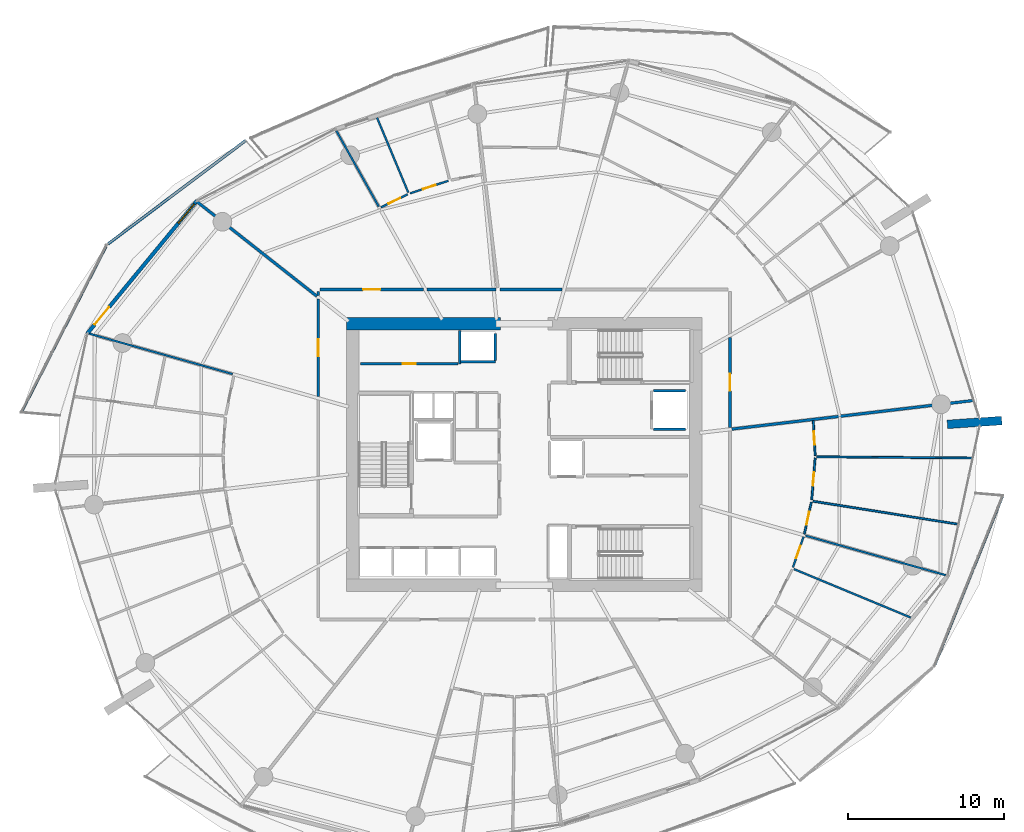
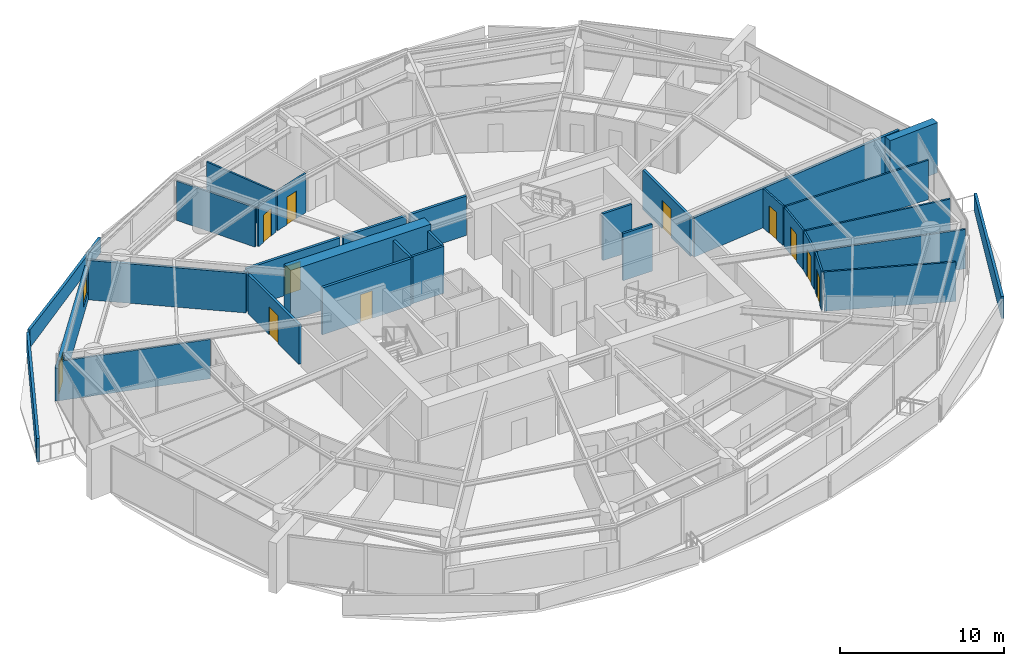
# One storey, part 14 of 23: 33 walls, 11 doors, 1 window, 12 openings.
"""IFC4 building model written with IfcOpenShell, lengths in metres."""

from ifc_helpers import new_model, si_unit, direction, frame, frame_2d, origin, place, context, subcontext, project, spatial, polyline, rectangle, outline, extrude, material, layer, layer_set, type_object, element, fill, save


model = new_model("IFC4")

# Units and contexts
model_context = context("Model", 3, precision=1e-05, world=origin(), true_north=direction((0.0, 1.0)))
body_context = subcontext(model_context, "Body", "Model", "MODEL_VIEW")
ifc_project = project(units=[si_unit("LENGTHUNIT", "METRE"), si_unit("AREAUNIT", "SQUARE_METRE"), si_unit("VOLUMEUNIT", "CUBIC_METRE"), si_unit("PLANEANGLEUNIT", "RADIAN"), si_unit("MASSUNIT", "GRAM", prefix="KILO")], contexts=[model_context])

# Site, building, storey
site_placement = place(None, origin())
site = spatial("IfcSite", under=ifc_project, at=site_placement, CompositionType="ELEMENT")
building_placement = place(site_placement, origin())
building = spatial("IfcBuilding", under=site, at=building_placement, Name="Kazma Halo Residences", CompositionType="ELEMENT")
storey_placement = place(building_placement, frame((0.0, 0.0, 97.64990234375)))
storey = spatial("IfcBuildingStorey", under=building, at=storey_placement, Name="L24", CompositionType="ELEMENT", Elevation=97.64990234375)

# Walls
ifc_material_1 = material(Name="White Concrete C50/60 Balustrade", Category="concrete")
ifc_layer_1 = layer(ifc_material_1, 0.179931640625)
ifc_layer_set_1 = layer_set([ifc_layer_1], Name="White Concrete C50/60 Balustrade")
wall_type_1 = type_object("IfcWallType", Name="WL-BAL-WAVE-180", PredefinedType="PARAPET", material=ifc_layer_set_1)
wall_1_placement = place(storey_placement, frame((30.55419921875, 62.17529296875, 0.0), z_axis=(0.0, 0.0, 1.0), x_axis=(-0.799377932659, -0.600828528598, 0.0)))
element("IfcWall", 1, at=wall_1_placement, inside=storey, type_object=wall_type_1, Name="L24 white wave balustrade wall NW.1", PredefinedType="PARAPET", context=body_context, shape_type="SweptSolid", body=[
    extrude(outline(polyline([(0.0, 0.0), (11.0751953125, 0.0), (11.075439453125, 1.34814453125), (5.53759765625, 1.18212890625), (0.0, 1.1201171875), (0.0, 0.0)])), frame((0.0, 0.08984375, 0.0), z_axis=(0.0, -1.0, 0.0), x_axis=(1.0, 0.0, 0.0)), (0.0, 0.0, 1.0), 0.179931640625),
])
wall_2_placement = place(storey_placement, frame((21.55029296875, 55.342041015625, 0.0), z_axis=(0.0, 0.0, 1.0), x_axis=(-0.454614998415, -0.890688050451, 0.0)))
element("IfcWall", 2, at=wall_2_placement, inside=storey, type_object=wall_type_1, Name="L24 white wave balustrade wall NW.2", PredefinedType="PARAPET", context=body_context, shape_type="SweptSolid", body=[
    extrude(outline(polyline([(0.0, 0.0), (11.9423828125, 0.0), (11.9423828125, 1.7470703125), (5.97119140625, 1.56201171875), (0.0, 1.34814453125), (0.0, 0.0)])), frame((0.0, 0.08984375, 0.0), z_axis=(0.0, -1.0, 0.0), x_axis=(1.0, 0.0, 0.0)), (0.0, 0.0, 1.0), 0.179931640625),
])
wall_3_placement = place(storey_placement, frame((74.794189453125, 28.481689453125, 0.0), z_axis=(0.0, 0.0, 1.0), x_axis=(0.372543477275, 0.928014739937, 0.0)))
element("IfcWall", 3, at=wall_3_placement, inside=storey, type_object=wall_type_1, Name="L24 white wave balustrade wall SE.2", PredefinedType="PARAPET", context=body_context, shape_type="SweptSolid", body=[
    extrude(outline(polyline([(0.0, 0.0), (11.718017578125, 0.0), (11.7177734375, 1.233154296875), (5.85888671875, 1.418212890625), (0.0, 1.632080078125), (0.0, 0.0)])), frame((0.0, 0.08984375, 0.0), z_axis=(0.0, -1.0, 0.0), x_axis=(1.0, 0.0, 0.0)), (0.0, 0.0, 1.0), 0.179931640625),
])
ifc_material_2 = material(Name="Pale Concrete C60/75", Category="concrete")
ifc_layer_2 = layer(ifc_material_2, 0.550048828125)
ifc_layer_set_2 = layer_set([ifc_layer_2], Name="Pale Concrete C60/75")
wall_type_2 = type_object("IfcWallType", Name="WL-BLADE-550", PredefinedType="SOLIDWALL", material=ifc_layer_set_2)
wall_4_placement = place(storey_placement, frame((75.606201171875, 43.930419921875, 0.0), z_axis=(0.0, 0.0, 1.0), x_axis=(0.997564163539, 0.069754853754, 0.0)))
element("IfcWall", 4, at=wall_4_placement, inside=storey, type_object=wall_type_2, Name="L24 pale concrete structural blade fin wall BW-04", PredefinedType="SOLIDWALL", context=body_context, shape_type="SweptSolid", body=[
    extrude(rectangle(XDim=3.5, YDim=0.550048828125, at=frame_2d((1.75, 0.0))), origin(), (0.0, 0.0, 1.0), 3.75),
])
ifc_material_3 = material(Name="Concrete C80/95", Category="concrete")
ifc_layer_3 = layer(ifc_material_3, 0.800048828125)
ifc_layer_set_3 = layer_set([ifc_layer_3], Name="Concrete C80/95")
wall_type_3 = type_object("IfcWallType", Name="WL-CORE-800", PredefinedType="SHEAR", material=ifc_layer_set_3)
wall_5_placement = place(storey_placement, frame((37.0, 50.39990234375, 0.0), z_axis=(0.0, 0.0, 1.0), x_axis=(1.0, 0.0, 0.0)))
element("IfcWall", 5, at=wall_5_placement, inside=storey, type_object=wall_type_3, Name="L24 central core shear wall NW", PredefinedType="SHEAR", context=body_context, shape_type="SweptSolid", body=[
    extrude(rectangle(XDim=9.89990234375, YDim=0.800048828125, at=frame_2d((4.949951171875, 0.0))), origin(), (0.0, 0.0, 1.0), 3.75),
])
ifc_material_4 = material(Name="Acoustic Twin-Stud Gypsum")
ifc_layer_4 = layer(ifc_material_4, 0.179931640625)
ifc_layer_set_4 = layer_set([ifc_layer_4], Name="Acoustic Twin-Stud Gypsum")
wall_type_4 = type_object("IfcWallType", Name="WL-DEM-180", PredefinedType="PARTITIONING", material=ifc_layer_set_4)
wall_6_placement = place(storey_placement, frame((35.113525390625, 52.15869140625, 0.0), z_axis=(0.0, 0.0, 1.0), x_axis=(-0.785295873565, 0.619120659453, 0.0)))
element("IfcWall", 6, at=wall_6_placement, inside=storey, type_object=wall_type_4, Name="L24 apartment demising radial wall 05", PredefinedType="PARTITIONING", context=body_context, shape_type="SweptSolid", body=[
    extrude(rectangle(XDim=9.828857421875, YDim=0.179931640625, at=frame_2d((4.91455078125, 0.0))), origin(), (0.0, 0.0, 1.0), 2.940185546875),
])
wall_7_placement = place(storey_placement, frame((61.75927734375, 43.62841796875, 0.0), z_axis=(0.0, 0.0, 1.0), x_axis=(0.99306822875, 0.117539325539, 0.0)))
element("IfcWall", 7, at=wall_7_placement, inside=storey, type_object=wall_type_4, Name="L24 apartment demising radial wall 15", PredefinedType="PARTITIONING", context=body_context, shape_type="SweptSolid", body=[
    extrude(rectangle(XDim=15.6240234375, YDim=0.179931640625, at=frame_2d((7.81201171875, 0.0))), origin(), (0.0, 0.0, 1.0), 2.940185546875),
])

# Wall, opening, door
wall_8_placement = place(storey_placement, frame((35.199951171875, 51.970703125, 0.0), z_axis=(0.0, 0.0, 1.0), x_axis=(0.0, -1.0, 0.0)))
wall_8 = element("IfcWall", 8, at=wall_8_placement, inside=storey, type_object=wall_type_4, Name="L24 Apartment 1 entrance corridor wall", PredefinedType="PARTITIONING", context=body_context, shape_type="SweptSolid", body=[
    extrude(rectangle(XDim=6.24072265625, YDim=0.179931640625, at=frame_2d((3.120361328125, 0.0))), origin(), (0.0, 0.0, 1.0), 2.940185546875),
])
opening_1_placement = place(wall_8_placement, frame((2.5703125, 0.0, 0.0)))
opening_1 = element("IfcOpeningElement", 9, at=opening_1_placement, cuts=wall_8, Name="Opening DA-1100", PredefinedType="OPENING", context=body_context, shape_type="SweptSolid", body=[
    extrude(rectangle(XDim=1.10009765625, YDim=2.10009765625, at=frame_2d((0.550048828125, 1.050048828125))), frame((0.0, 0.099853515625, 0.0), z_axis=(0.0, -1.0, 0.0), x_axis=(1.0, 0.0, 0.0)), (0.0, 0.0, 1.0), 0.199951171875),
])
ifc_material_5 = material(Name="Acoustic Walnut Fire Leaf")
door_type_1 = type_object("IfcDoorType", Name="DR-FD60-1100", OperationType="NOTDEFINED", PredefinedType="DOOR", material=ifc_material_5)
door_1_placement = place(opening_1_placement, origin())
door_1 = element("IfcDoor", 10, at=door_1_placement, inside=storey, type_object=door_type_1, Name="L24 Apartment 1 entrance fire door", OperationType="SINGLE_SWING_RIGHT", OverallHeight=2.10009765625, OverallWidth=1.10009765625, PredefinedType="DOOR", context=body_context, shape_type="SweptSolid", body=[
    extrude(rectangle(XDim=1.10009765625, YDim=2.10009765625, at=frame_2d((0.550048828125, 1.050048828125))), frame((0.0, 0.02490234375, 0.0), z_axis=(0.0, -1.0, 0.0), x_axis=(1.0, 0.0, 0.0)), (0.0, 0.0, 1.0), 0.050048828125),
])
fill(opening_1, door_1)

wall_9_placement = place(storey_placement, frame((61.64990234375, 43.735595703125, 0.0), z_axis=(0.0, 0.0, 1.0), x_axis=(0.0, 1.0, 0.0)))
wall_9 = element("IfcWall", 11, at=wall_9_placement, inside=storey, type_object=wall_type_4, Name="L24 Apartment 4 entrance corridor wall", PredefinedType="PARTITIONING", context=body_context, shape_type="SweptSolid", body=[
    extrude(rectangle(XDim=5.788818359375, YDim=0.179931640625, at=frame_2d((2.89453125, 0.0))), origin(), (0.0, 0.0, 1.0), 2.940185546875),
])
opening_2_placement = place(wall_9_placement, frame((2.344482421875, 0.0, 0.0)))
opening_2 = element("IfcOpeningElement", 12, at=opening_2_placement, cuts=wall_9, Name="Opening DA-1100", PredefinedType="OPENING", context=body_context, shape_type="SweptSolid", body=[
    extrude(rectangle(XDim=1.10009765625, YDim=2.10009765625, at=frame_2d((0.550048828125, 1.050048828125))), frame((0.0, 0.099853515625, 0.0), z_axis=(0.0, -1.0, 0.0), x_axis=(1.0, 0.0, 0.0)), (0.0, 0.0, 1.0), 0.199951171875),
])
door_2_placement = place(opening_2_placement, origin())
door_2 = element("IfcDoor", 13, at=door_2_placement, inside=storey, type_object=door_type_1, Name="L24 Apartment 4 entrance fire door", OperationType="SINGLE_SWING_LEFT", OverallHeight=2.10009765625, OverallWidth=1.10009765625, PredefinedType="DOOR", context=body_context, shape_type="SweptSolid", body=[
    extrude(rectangle(XDim=1.10009765625, YDim=2.10009765625, at=frame_2d((0.550048828125, 1.050048828125))), frame((0.0, 0.02490234375, 0.0), z_axis=(0.0, -1.0, 0.0), x_axis=(1.0, 0.0, 0.0)), (0.0, 0.0, 1.0), 0.050048828125),
])
fill(opening_2, door_2)

# Wall
wall_10_placement = place(storey_placement, frame((50.869384765625, 52.60009765625, 0.0), z_axis=(0.0, 0.0, 1.0), x_axis=(-1.0, 0.0, 0.0)))
element("IfcWall", 14, at=wall_10_placement, inside=storey, type_object=wall_type_4, Name="L24 Apartment 4 inner wall 2", PredefinedType="PARTITIONING", context=body_context, shape_type="SweptSolid", body=[
    extrude(rectangle(XDim=4.00390625, YDim=0.179931640625, at=frame_2d((2.001953125, 0.0))), origin(), (0.0, 0.0, 1.0), 2.940185546875),
])

# Wall, opening, door
wall_11_placement = place(storey_placement, frame((41.943603515625, 52.60009765625, 0.0), z_axis=(0.0, 0.0, 1.0), x_axis=(-1.0, 0.0, 0.0)))
wall_11 = element("IfcWall", 15, at=wall_11_placement, inside=storey, type_object=wall_type_4, Name="L24 Apartment 5 entrance corridor wall", PredefinedType="PARTITIONING", context=body_context, shape_type="SweptSolid", body=[
    extrude(rectangle(XDim=6.62353515625, YDim=0.179931640625, at=frame_2d((3.311767578125, 0.0))), origin(), (0.0, 0.0, 1.0), 2.940185546875),
])
opening_3_placement = place(wall_11_placement, frame((2.76171875, 0.0, 0.0)))
opening_3 = element("IfcOpeningElement", 16, at=opening_3_placement, cuts=wall_11, Name="Opening DA-1100", PredefinedType="OPENING", context=body_context, shape_type="SweptSolid", body=[
    extrude(rectangle(XDim=1.10009765625, YDim=2.10009765625, at=frame_2d((0.550048828125, 1.050048828125))), frame((0.0, 0.099853515625, 0.0), z_axis=(0.0, -1.0, 0.0), x_axis=(1.0, 0.0, 0.0)), (0.0, 0.0, 1.0), 0.199951171875),
])
door_3_placement = place(opening_3_placement, origin())
door_3 = element("IfcDoor", 17, at=door_3_placement, inside=storey, type_object=door_type_1, Name="L24 Apartment 5 entrance fire door", OperationType="SINGLE_SWING_RIGHT", OverallHeight=2.10009765625, OverallWidth=1.10009765625, PredefinedType="DOOR", context=body_context, shape_type="SweptSolid", body=[
    extrude(rectangle(XDim=1.10009765625, YDim=2.10009765625, at=frame_2d((0.550048828125, 1.050048828125))), frame((0.0, 0.02490234375, 0.0), z_axis=(0.0, -1.0, 0.0), x_axis=(1.0, 0.0, 0.0)), (0.0, 0.0, 1.0), 0.050048828125),
])
fill(opening_3, door_3)

# Walls
wall_12_placement = place(storey_placement, frame((35.199951171875, 52.47998046875, 0.0), z_axis=(0.0, 0.0, 1.0), x_axis=(0.0, -1.0, 0.0)))
element("IfcWall", 18, at=wall_12_placement, inside=storey, type_object=wall_type_4, Name="L24 Apartment 5 entrance corridor wall", PredefinedType="PARTITIONING", context=body_context, shape_type="SweptSolid", body=[
    extrude(rectangle(XDim=0.269287109375, YDim=0.179931640625, at=frame_2d((0.134765625, 0.0))), origin(), (0.0, 0.0, 1.0), 2.940185546875),
])
wall_13_placement = place(storey_placement, frame((46.62548828125, 52.60009765625, 0.0), z_axis=(0.0, 0.0, 1.0), x_axis=(-1.0, 0.0, 0.0)))
element("IfcWall", 19, at=wall_13_placement, inside=storey, type_object=wall_type_4, Name="L24 Apartment 5 inner wall 3", PredefinedType="PARTITIONING", context=body_context, shape_type="SweptSolid", body=[
    extrude(rectangle(XDim=4.44189453125, YDim=0.179931640625, at=frame_2d((2.220947265625, 0.0))), origin(), (0.0, 0.0, 1.0), 2.940185546875),
])

# Wall, openings, door, window
ifc_material_6 = material(Name="Insulated Pale-Metal Composite Wall")
ifc_layer_5 = layer(ifc_material_6, 0.239990234375)
ifc_layer_set_5 = layer_set([ifc_layer_5], Name="Insulated Pale-Metal Composite Wall")
wall_type_5 = type_object("IfcWallType", Name="WL-EXT-HOST-240", PredefinedType="SOLIDWALL", material=ifc_layer_set_5)
wall_14_placement = place(storey_placement, frame((27.406982421875, 58.2978515625, 0.0), z_axis=(0.0, 0.0, 1.0), x_axis=(-0.636704975, -0.771107498868, 0.0)))
wall_14 = element("IfcWall", 20, at=wall_14_placement, inside=storey, type_object=wall_type_5, Name="L24 exterior terrace-access wall B06", PredefinedType="SOLIDWALL", context=body_context, shape_type="SweptSolid", body=[
    extrude(rectangle(XDim=11.084228515625, YDim=0.239990234375, at=frame_2d((5.5419921875, 0.0))), origin(), (0.0, 0.0, 1.0), 2.4501953125),
])
opening_4_placement = place(wall_14_placement, frame((8.8642578125, 0.0, 0.0)))
opening_4 = element("IfcOpeningElement", 21, at=opening_4_placement, cuts=wall_14, Name="Opening DTR-1600", PredefinedType="OPENING", context=body_context, shape_type="SweptSolid", body=[
    extrude(rectangle(XDim=1.449951171875, YDim=2.14990234375, at=frame_2d((0.72509765625, 1.074951171875))), frame((0.0, 0.1298828125, 0.0), z_axis=(0.0, -1.0, 0.0), x_axis=(1.0, 0.0, 0.0)), (0.0, 0.0, 1.0), 0.260009765625),
])
opening_5_placement = place(wall_14_placement, frame((0.280029296875, 0.0, 0.64990234375)))
opening_5 = element("IfcOpeningElement", 22, at=opening_5_placement, cuts=wall_14, Name="Opening W-1800", PredefinedType="OPENING", context=body_context, shape_type="SweptSolid", body=[
    extrude(rectangle(XDim=1.60009765625, YDim=1.5, at=frame_2d((0.800048828125, 0.75))), frame((0.0, 0.1298828125, 0.0), z_axis=(0.0, -1.0, 0.0), x_axis=(1.0, 0.0, 0.0)), (0.0, 0.0, 1.0), 0.260009765625),
])
ifc_material_7 = material(Name="Aluminium AW-6063 T6 Double-Glazed Terrace Door", Category="aluminium")
door_type_2 = type_object("IfcDoorType", Name="DR-EXT-TERR-1600", OperationType="NOTDEFINED", PredefinedType="DOOR", material=ifc_material_7)
door_4_placement = place(opening_4_placement, origin())
door_4 = element("IfcDoor", 23, at=door_4_placement, inside=storey, type_object=door_type_2, Name="L24 B06 balcony terrace door", OperationType="DOUBLE_DOOR_SLIDING", OverallHeight=2.14990234375, OverallWidth=1.449951171875, PredefinedType="DOOR", context=body_context, shape_type="SweptSolid", body=[
    extrude(rectangle(XDim=1.449951171875, YDim=2.14990234375, at=frame_2d((0.72509765625, 1.074951171875))), frame((0.0, 0.02490234375, 0.0), z_axis=(0.0, -1.0, 0.0), x_axis=(1.0, 0.0, 0.0)), (0.0, 0.0, 1.0), 0.050048828125),
])
fill(opening_4, door_4)
ifc_material_8 = material(Name="Clear Triple-Silver Low-E Glass in Aluminium AW-6063 T6 Frame", Category="aluminium")
window_type = type_object("IfcWindowType", Name="WIN-RES-1800", PartitioningType="DOUBLE_PANEL_VERTICAL", PredefinedType="WINDOW", material=ifc_material_8)
window_placement = place(opening_5_placement, origin())
window = element("IfcWindow", 24, at=window_placement, inside=storey, type_object=window_type, Name="L24 B06 apartment window", OverallHeight=1.5, OverallWidth=1.60009765625, PartitioningType="SINGLE_PANEL", PredefinedType="WINDOW", context=body_context, shape_type="SweptSolid", body=[
    extrude(rectangle(XDim=1.60009765625, YDim=1.5, at=frame_2d((0.800048828125, 0.75))), frame((0.0, 0.030029296875, 0.0), z_axis=(0.0, -1.0, 0.0), x_axis=(1.0, 0.0, 0.0)), (0.0, 0.0, 1.0), 0.06005859375),
])
fill(opening_5, window)

# Walls
ifc_material_9 = material(Name="Fire-Rated Blockwork Masonry", Category="masonry")
ifc_layer_6 = layer(ifc_material_9, 0.199951171875)
ifc_layer_set_6 = layer_set([ifc_layer_6], Name="Fire-Rated Blockwork Masonry")
wall_type_6 = type_object("IfcWallType", Name="WL-FLB-200", PredefinedType="PARTITIONING", material=ifc_layer_set_6)
wall_15_placement = place(storey_placement, frame((46.580078125, 47.945068359375, 0.0), z_axis=(0.0, 0.0, 1.0), x_axis=(-1.0, 0.0, 0.0)))
element("IfcWall", 25, at=wall_15_placement, inside=storey, type_object=wall_type_6, Name="L24 lift shaft PX-01 front wall", PredefinedType="PARTITIONING", context=body_context, shape_type="SweptSolid", body=[
    extrude(rectangle(XDim=2.260009765625, YDim=0.159912109375, at=frame_2d((1.1298828125, 0.0))), origin(), (0.0, 0.0, 1.0), 3.5),
])
wall_16_placement = place(storey_placement, frame((46.580078125, 48.044921875, 0.0), z_axis=(0.0, 0.0, 1.0), x_axis=(0.0, 1.0, 0.0)))
element("IfcWall", 26, at=wall_16_placement, inside=storey, type_object=wall_type_6, Name="L24 lift shaft PX-01 side wall E", PredefinedType="PARTITIONING", context=body_context, shape_type="SweptSolid", body=[
    extrude(rectangle(XDim=1.7099609375, YDim=0.159912109375, at=frame_2d((0.85498046875, 0.0))), origin(), (0.0, 0.0, 1.0), 3.5),
])
for number, where, z_axis, x_axis, name in (
    (27, (56.719970703125, 46.080078125, 0.0), (0.0, 0.0, 1.0), (1.0, 0.0, 0.0), "L24 lift shaft FL-02 side wall N"),
    (28, (56.719970703125, 43.6201171875, 0.0), (0.0, 0.0, 1.0), (1.0, 0.0, 0.0), "L24 lift shaft FL-02 side wall S"),
):
    element("IfcWall", number, at=place(storey_placement, frame(where, z_axis=z_axis, x_axis=x_axis)), inside=storey, type_object=wall_type_6, Name=name, PredefinedType="PARTITIONING", context=body_context, shape_type="SweptSolid", body=[
        extrude(rectangle(XDim=2.06005859375, YDim=0.159912109375, at=frame_2d((1.030029296875, 0.0))), origin(), (0.0, 0.0, 1.0), 3.5),
    ])

# Wall, opening, door
wall_17_placement = place(storey_placement, frame((37.919921875, 47.820068359375, 0.0), z_axis=(0.0, 0.0, 1.0), x_axis=(1.0, 0.0, 0.0)))
wall_17 = element("IfcWall", 29, at=wall_17_placement, inside=storey, type_object=wall_type_6, Name="L24 core north reserve wall", PredefinedType="PARTITIONING", context=body_context, shape_type="SweptSolid", body=[
    extrude(rectangle(XDim=6.260009765625, YDim=0.179931640625, at=frame_2d((3.1298828125, 0.0))), origin(), (0.0, 0.0, 1.0), 3.5),
])
opening_6_placement = place(wall_17_placement, frame((2.705078125, 0.0, 0.0)))
opening_6 = element("IfcOpeningElement", 30, at=opening_6_placement, cuts=wall_17, Name="Opening DS-850", PredefinedType="OPENING", context=body_context, shape_type="SweptSolid", body=[
    extrude(rectangle(XDim=0.85009765625, YDim=2.06005859375, at=frame_2d((0.425048828125, 1.030029296875))), frame((0.0, 0.099853515625, 0.0), z_axis=(0.0, -1.0, 0.0), x_axis=(1.0, 0.0, 0.0)), (0.0, 0.0, 1.0), 0.199951171875),
])
ifc_material_10 = material(Name="Painted Steel Access Leaf", Category="steel")
door_type_3 = type_object("IfcDoorType", Name="DR-SVC-850", OperationType="NOTDEFINED", PredefinedType="DOOR", material=ifc_material_10)
door_5_placement = place(opening_6_placement, origin())
door_5 = element("IfcDoor", 31, at=door_5_placement, inside=storey, type_object=door_type_3, Name="L24 core north reserve door", OperationType="SINGLE_SWING_RIGHT", OverallHeight=2.06005859375, OverallWidth=0.85009765625, PredefinedType="DOOR", context=body_context, shape_type="SweptSolid", body=[
    extrude(rectangle(XDim=0.85009765625, YDim=2.06005859375, at=frame_2d((0.425048828125, 1.030029296875))), frame((0.0, 0.02490234375, 0.0), z_axis=(0.0, -1.0, 0.0), x_axis=(1.0, 0.0, 0.0)), (0.0, 0.0, 1.0), 0.050048828125),
])
fill(opening_6, door_5)

# Walls
wall_18_placement = place(storey_placement, frame((44.280029296875, 47.820068359375, 0.0), z_axis=(0.0, 0.0, 1.0), x_axis=(0.0, 1.0, 0.0)))
element("IfcWall", 32, at=wall_18_placement, inside=storey, type_object=wall_type_6, Name="L24 PX-01 hoistway west wall", PredefinedType="PARTITIONING", context=body_context, shape_type="SweptSolid", body=[
    extrude(rectangle(XDim=2.1298828125, YDim=0.179931640625, at=frame_2d((1.06494140625, 0.0))), origin(), (0.0, 0.0, 1.0), 3.5),
])
ifc_material_11 = material(Name="Gypsum Plasterboard Partition")
ifc_layer_7 = layer(ifc_material_11, 0.125)
ifc_layer_set_7 = layer_set([ifc_layer_7], Name="Gypsum Plasterboard Partition")
wall_type_7 = type_object("IfcWallType", Name="WL-PART-125", PredefinedType="PARTITIONING", material=ifc_layer_set_7)
wall_19_placement = place(storey_placement, frame((29.695068359375, 47.16259765625, 0.0), z_axis=(0.0, 0.0, 1.0), x_axis=(-0.962455839824, 0.271438310467, 0.0)))
element("IfcWall", 33, at=wall_19_placement, inside=storey, type_object=wall_type_7, Name="L24 Apartment 1 radial partition 6", PredefinedType="PARTITIONING", context=body_context, shape_type="SweptSolid", body=[
    extrude(rectangle(XDim=9.552001953125, YDim=0.125, at=frame_2d((4.77587890625, 0.0))), origin(), (0.0, 0.0, 1.0), 2.940185546875),
])
wall_20_placement = place(storey_placement, frame((65.74560546875, 34.638671875, 0.0), z_axis=(0.0, 0.0, 1.0), x_axis=(0.923687629783, -0.383146398373, 0.0)))
element("IfcWall", 34, at=wall_20_placement, inside=storey, type_object=wall_type_7, Name="L24 Apartment 3 suite divider 13", PredefinedType="PARTITIONING", context=body_context, shape_type="SweptSolid", body=[
    extrude(rectangle(XDim=8.121826171875, YDim=0.125, at=frame_2d((4.06103515625, 0.0))), origin(), (0.0, 0.0, 1.0), 2.940185546875),
])

# Wall, opening, door
wall_21_placement = place(storey_placement, frame((65.688720703125, 34.748779296875, 0.0), z_axis=(0.0, 0.0, 1.0), x_axis=(0.327956443315, 0.944692844944, 0.0)))
wall_21 = element("IfcWall", 35, at=wall_21_placement, inside=storey, type_object=wall_type_7, Name="L24 Apartment 3 Primary Bedroom hall wall", PredefinedType="PARTITIONING", context=body_context, shape_type="SweptSolid", body=[
    extrude(rectangle(XDim=2.08154296875, YDim=0.125, at=frame_2d((1.040771484375, 0.0))), origin(), (0.0, 0.0, 1.0), 2.940185546875),
])
opening_7_placement = place(wall_21_placement, frame((0.615478515625, 0.0, 0.0)))
opening_7 = element("IfcOpeningElement", 36, at=opening_7_placement, cuts=wall_21, Name="Opening DB-900", PredefinedType="OPENING", context=body_context, shape_type="SweptSolid", body=[
    extrude(rectangle(XDim=0.85009765625, YDim=2.06005859375, at=frame_2d((0.425048828125, 1.030029296875))), frame((0.0, 0.072509765625, 0.0), z_axis=(0.0, -1.0, 0.0), x_axis=(1.0, 0.0, 0.0)), (0.0, 0.0, 1.0), 0.14501953125),
])
ifc_material_12 = material(Name="Moisture-Sealed Timber Leaf", Category="wood")
door_type_4 = type_object("IfcDoorType", Name="DR-BTH-900", OperationType="NOTDEFINED", PredefinedType="DOOR", material=ifc_material_12)
door_6_placement = place(opening_7_placement, origin())
door_6 = element("IfcDoor", 37, at=door_6_placement, inside=storey, type_object=door_type_4, Name="L24 Apartment 3 Primary Bedroom door", OperationType="SINGLE_SWING_LEFT", OverallHeight=2.06005859375, OverallWidth=0.85009765625, PredefinedType="DOOR", context=body_context, shape_type="SweptSolid", body=[
    extrude(rectangle(XDim=0.85009765625, YDim=2.06005859375, at=frame_2d((0.425048828125, 1.030029296875))), frame((0.0, 0.02490234375, 0.0), z_axis=(0.0, -1.0, 0.0), x_axis=(1.0, 0.0, 0.0)), (0.0, 0.0, 1.0), 0.050048828125),
])
fill(opening_7, door_6)

# Walls
wall_22_placement = place(storey_placement, frame((66.500244140625, 36.782470703125, 0.0), z_axis=(0.0, 0.0, 1.0), x_axis=(0.962451600307, -0.271453342338, 0.0)))
element("IfcWall", 38, at=wall_22_placement, inside=storey, type_object=wall_type_7, Name="L24 Apartment 3 radial partition 14", PredefinedType="PARTITIONING", context=body_context, shape_type="SweptSolid", body=[
    extrude(rectangle(XDim=9.34912109375, YDim=0.125, at=frame_2d((4.674560546875, 0.0))), origin(), (0.0, 0.0, 1.0), 2.940185546875),
])
wall_23_placement = place(storey_placement, frame((66.9755859375, 38.99462890625, 0.0), z_axis=(0.0, 0.0, 1.0), x_axis=(0.987686752204, -0.156444493419, 0.0)))
element("IfcWall", 39, at=wall_23_placement, inside=storey, type_object=wall_type_7, Name="L24 Apartment 3 bay wall 1 14", PredefinedType="PARTITIONING", context=body_context, shape_type="SweptSolid", body=[
    extrude(rectangle(XDim=9.44287109375, YDim=0.125, at=frame_2d((4.721435546875, 0.0))), origin(), (0.0, 0.0, 1.0), 2.940185546875),
])
wall_24_placement = place(storey_placement, frame((67.21142578125, 41.84912109375, 0.0), z_axis=(0.0, 0.0, 1.0), x_axis=(0.999969120795, -0.007858591192, 0.0)))
element("IfcWall", 40, at=wall_24_placement, inside=storey, type_object=wall_type_7, Name="L24 Apartment 3 bay wall 2 14", PredefinedType="PARTITIONING", context=body_context, shape_type="SweptSolid", body=[
    extrude(rectangle(XDim=10.00341796875, YDim=0.125, at=frame_2d((5.001708984375, 0.0))), origin(), (0.0, 0.0, 1.0), 2.940185546875),
])

# Wall, opening, door
wall_25_placement = place(storey_placement, frame((66.421142578125, 36.8876953125, 0.0), z_axis=(0.0, 0.0, 1.0), x_axis=(0.21430951395, 0.97676580214, 0.0)))
wall_25 = element("IfcWall", 41, at=wall_25_placement, inside=storey, type_object=wall_type_7, Name="L24 Apartment 3 East Bedroom hall wall", PredefinedType="PARTITIONING", context=body_context, shape_type="SweptSolid", body=[
    extrude(rectangle(XDim=2.091552734375, YDim=0.125, at=frame_2d((1.0458984375, 0.0))), origin(), (0.0, 0.0, 1.0), 2.940185546875),
])
opening_8_placement = place(wall_25_placement, frame((0.620849609375, 0.0, 0.0)))
opening_8 = element("IfcOpeningElement", 42, at=opening_8_placement, cuts=wall_25, Name="Opening DB-900", PredefinedType="OPENING", context=body_context, shape_type="SweptSolid", body=[
    extrude(rectangle(XDim=0.85009765625, YDim=2.06005859375, at=frame_2d((0.425048828125, 1.030029296875))), frame((0.0, 0.072509765625, 0.0), z_axis=(0.0, -1.0, 0.0), x_axis=(1.0, 0.0, 0.0)), (0.0, 0.0, 1.0), 0.14501953125),
])
door_7_placement = place(opening_8_placement, origin())
door_7 = element("IfcDoor", 43, at=door_7_placement, inside=storey, type_object=door_type_4, Name="L24 Apartment 3 East Bedroom door", OperationType="SINGLE_SWING_RIGHT", OverallHeight=2.06005859375, OverallWidth=0.85009765625, PredefinedType="DOOR", context=body_context, shape_type="SweptSolid", body=[
    extrude(rectangle(XDim=0.85009765625, YDim=2.06005859375, at=frame_2d((0.425048828125, 1.030029296875))), frame((0.0, 0.02490234375, 0.0), z_axis=(0.0, -1.0, 0.0), x_axis=(1.0, 0.0, 0.0)), (0.0, 0.0, 1.0), 0.050048828125),
])
fill(opening_8, door_7)

wall_26_placement = place(storey_placement, frame((66.893310546875, 39.08837890625, 0.0), z_axis=(0.0, 0.0, 1.0), x_axis=(0.082294564914, 0.996608049629, 0.0)))
wall_26 = element("IfcWall", 44, at=wall_26_placement, inside=storey, type_object=wall_type_7, Name="L24 Apartment 3 West Dressing Wardrobe hall wall", PredefinedType="PARTITIONING", context=body_context, shape_type="SweptSolid", body=[
    extrude(rectangle(XDim=2.690673828125, YDim=0.125, at=frame_2d((1.34521484375, 0.0))), origin(), (0.0, 0.0, 1.0), 2.940185546875),
])
opening_9_placement = place(wall_26_placement, frame((0.92041015625, 0.0, 0.0)))
opening_9 = element("IfcOpeningElement", 45, at=opening_9_placement, cuts=wall_26, Name="Opening DB-900", PredefinedType="OPENING", context=body_context, shape_type="SweptSolid", body=[
    extrude(rectangle(XDim=0.85009765625, YDim=2.06005859375, at=frame_2d((0.425048828125, 1.030029296875))), frame((0.0, 0.072509765625, 0.0), z_axis=(0.0, -1.0, 0.0), x_axis=(1.0, 0.0, 0.0)), (0.0, 0.0, 1.0), 0.14501953125),
])
door_8_placement = place(opening_9_placement, origin())
door_8 = element("IfcDoor", 46, at=door_8_placement, inside=storey, type_object=door_type_4, Name="L24 Apartment 3 West Dressing Wardrobe door", OperationType="SINGLE_SWING_LEFT", OverallHeight=2.06005859375, OverallWidth=0.85009765625, PredefinedType="DOOR", context=body_context, shape_type="SweptSolid", body=[
    extrude(rectangle(XDim=0.85009765625, YDim=2.06005859375, at=frame_2d((0.425048828125, 1.030029296875))), frame((0.0, 0.02490234375, 0.0), z_axis=(0.0, -1.0, 0.0), x_axis=(1.0, 0.0, 0.0)), (0.0, 0.0, 1.0), 0.050048828125),
])
fill(opening_9, door_8)

wall_27_placement = place(storey_placement, frame((67.116943359375, 41.9296875, 0.0), z_axis=(0.0, 0.0, 1.0), x_axis=(-0.054896910866, 0.998492027598, 0.0)))
wall_27 = element("IfcWall", 47, at=wall_27_placement, inside=storey, type_object=wall_type_7, Name="L24 Apartment 3 North Bedroom hall wall", PredefinedType="PARTITIONING", context=body_context, shape_type="SweptSolid", body=[
    extrude(rectangle(XDim=2.241455078125, YDim=0.125, at=frame_2d((1.12060546875, 0.0))), origin(), (0.0, 0.0, 1.0), 2.940185546875),
])
opening_10_placement = place(wall_27_placement, frame((0.69580078125, 0.0, 0.0)))
opening_10 = element("IfcOpeningElement", 48, at=opening_10_placement, cuts=wall_27, Name="Opening DB-900", PredefinedType="OPENING", context=body_context, shape_type="SweptSolid", body=[
    extrude(rectangle(XDim=0.85009765625, YDim=2.06005859375, at=frame_2d((0.425048828125, 1.030029296875))), frame((0.0, 0.072509765625, 0.0), z_axis=(0.0, -1.0, 0.0), x_axis=(1.0, 0.0, 0.0)), (0.0, 0.0, 1.0), 0.14501953125),
])
door_9_placement = place(opening_10_placement, origin())
door_9 = element("IfcDoor", 49, at=door_9_placement, inside=storey, type_object=door_type_4, Name="L24 Apartment 3 North Bedroom door", OperationType="SINGLE_SWING_RIGHT", OverallHeight=2.06005859375, OverallWidth=0.85009765625, PredefinedType="DOOR", context=body_context, shape_type="SweptSolid", body=[
    extrude(rectangle(XDim=0.85009765625, YDim=2.06005859375, at=frame_2d((0.425048828125, 1.030029296875))), frame((0.0, 0.02490234375, 0.0), z_axis=(0.0, -1.0, 0.0), x_axis=(1.0, 0.0, 0.0)), (0.0, 0.0, 1.0), 0.050048828125),
])
fill(opening_10, door_9)

# Walls
wall_28_placement = place(storey_placement, frame((39.087890625, 57.913330078125, 0.0), z_axis=(0.0, 0.0, 1.0), x_axis=(-0.488595379978, 0.872510489716, 0.0)))
element("IfcWall", 50, at=wall_28_placement, inside=storey, type_object=wall_type_7, Name="L24 Apartment 5 living radial partition 3", PredefinedType="PARTITIONING", context=body_context, shape_type="SweptSolid", body=[
    extrude(rectangle(XDim=5.58349609375, YDim=0.125, at=frame_2d((2.791748046875, 0.0))), origin(), (0.0, 0.0, 1.0), 2.940185546875),
])
wall_29_placement = place(storey_placement, frame((40.9794921875, 58.822998046875, 0.0), z_axis=(0.0, 0.0, 1.0), x_axis=(-0.385130983934, 0.92286192099, 0.0)))
element("IfcWall", 51, at=wall_29_placement, inside=storey, type_object=wall_type_7, Name="L24 Apartment 5 suite divider 3", PredefinedType="PARTITIONING", context=body_context, shape_type="SweptSolid", body=[
    extrude(rectangle(XDim=5.210693359375, YDim=0.125, at=frame_2d((2.60546875, 0.0))), origin(), (0.0, 0.0, 1.0), 2.940185546875),
])

# Wall, opening, door
wall_30_placement = place(storey_placement, frame((43.555419921875, 59.5791015625, 0.0), z_axis=(0.0, 0.0, 1.0), x_axis=(-0.949554185533, -0.313603011364, 0.0)))
wall_30 = element("IfcWall", 52, at=wall_30_placement, inside=storey, type_object=wall_type_7, Name="L24 Apartment 5 Gourmet Kitchen hall wall", PredefinedType="PARTITIONING", context=body_context, shape_type="SweptSolid", body=[
    extrude(rectangle(XDim=2.59619140625, YDim=0.125, at=frame_2d((1.298095703125, 0.0))), origin(), (0.0, 0.0, 1.0), 2.940185546875),
])
opening_11_placement = place(wall_30_placement, frame((0.873291015625, 0.0, 0.0)))
opening_11 = element("IfcOpeningElement", 53, at=opening_11_placement, cuts=wall_30, Name="Opening DB-900", PredefinedType="OPENING", context=body_context, shape_type="SweptSolid", body=[
    extrude(rectangle(XDim=0.85009765625, YDim=2.06005859375, at=frame_2d((0.425048828125, 1.030029296875))), frame((0.0, 0.072509765625, 0.0), z_axis=(0.0, -1.0, 0.0), x_axis=(1.0, 0.0, 0.0)), (0.0, 0.0, 1.0), 0.14501953125),
])
door_10_placement = place(opening_11_placement, origin())
door_10 = element("IfcDoor", 54, at=door_10_placement, inside=storey, type_object=door_type_4, Name="L24 Apartment 5 Gourmet Kitchen door", OperationType="SINGLE_SWING_RIGHT", OverallHeight=2.06005859375, OverallWidth=0.85009765625, PredefinedType="DOOR", context=body_context, shape_type="SweptSolid", body=[
    extrude(rectangle(XDim=0.85009765625, YDim=2.06005859375, at=frame_2d((0.425048828125, 1.030029296875))), frame((0.0, 0.02490234375, 0.0), z_axis=(0.0, -1.0, 0.0), x_axis=(1.0, 0.0, 0.0)), (0.0, 0.0, 1.0), 0.050048828125),
])
fill(opening_11, door_10)

wall_31_placement = place(storey_placement, frame((40.9423828125, 58.704833984375, 0.0), z_axis=(0.0, 0.0, 1.0), x_axis=(-0.899211958503, -0.437513261153, 0.0)))
wall_31 = element("IfcWall", 55, at=wall_31_placement, inside=storey, type_object=wall_type_7, Name="L24 Apartment 5 Primary Bedroom hall wall", PredefinedType="PARTITIONING", context=body_context, shape_type="SweptSolid", body=[
    extrude(rectangle(XDim=1.907958984375, YDim=0.125, at=frame_2d((0.9541015625, 0.0))), origin(), (0.0, 0.0, 1.0), 2.940185546875),
])
opening_12_placement = place(wall_31_placement, frame((0.52880859375, 0.0, 0.0)))
opening_12 = element("IfcOpeningElement", 56, at=opening_12_placement, cuts=wall_31, Name="Opening DB-900", PredefinedType="OPENING", context=body_context, shape_type="SweptSolid", body=[
    extrude(rectangle(XDim=0.85009765625, YDim=2.06005859375, at=frame_2d((0.425048828125, 1.030029296875))), frame((0.0, 0.072509765625, 0.0), z_axis=(0.0, -1.0, 0.0), x_axis=(1.0, 0.0, 0.0)), (0.0, 0.0, 1.0), 0.14501953125),
])
door_11_placement = place(opening_12_placement, origin())
door_11 = element("IfcDoor", 57, at=door_11_placement, inside=storey, type_object=door_type_4, Name="L24 Apartment 5 Primary Bedroom door", OperationType="SINGLE_SWING_LEFT", OverallHeight=2.06005859375, OverallWidth=0.85009765625, PredefinedType="DOOR", context=body_context, shape_type="SweptSolid", body=[
    extrude(rectangle(XDim=0.85009765625, YDim=2.06005859375, at=frame_2d((0.425048828125, 1.030029296875))), frame((0.0, 0.02490234375, 0.0), z_axis=(0.0, -1.0, 0.0), x_axis=(1.0, 0.0, 0.0)), (0.0, 0.0, 1.0), 0.050048828125),
])
fill(opening_12, door_11)

save(model, "model.ifc")
